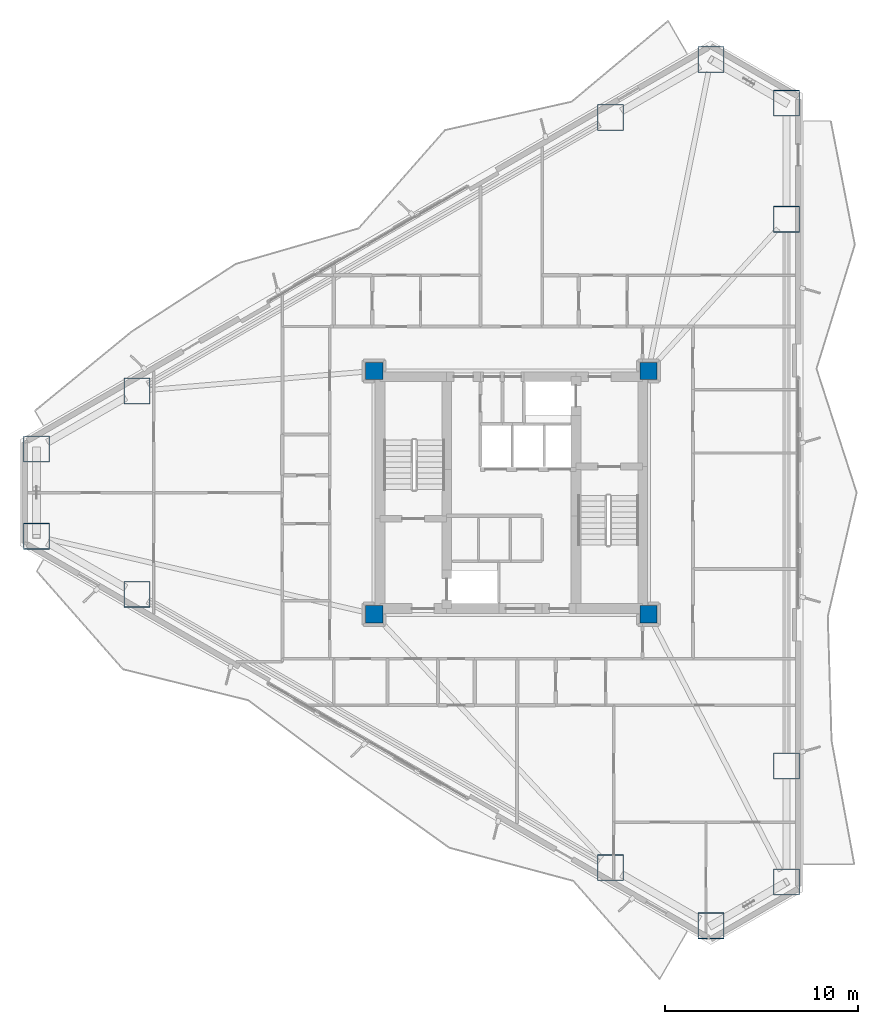
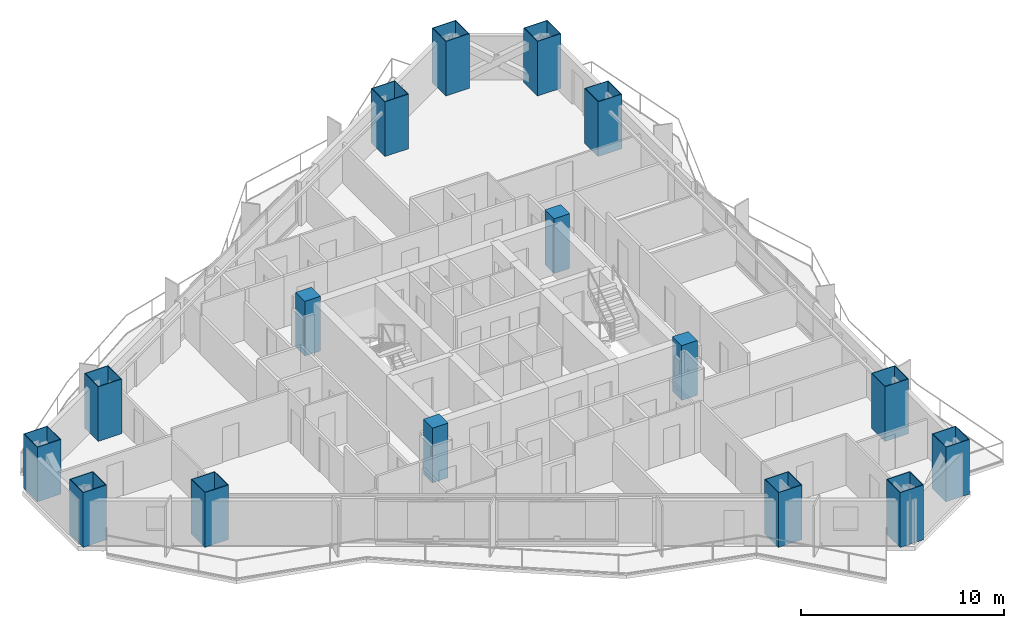
# One storey, part 1 of 19: 16 columns.
"""IFC4 building model written with IfcOpenShell, lengths in metres."""

import ifcopenshell
import ifcopenshell.guid

model = None  # the IFC model being written
_history = None  # IfcOwnerHistory: only IFC2X3 demands one
_inside = {}  # id of a spatial element -> (the spatial element, [elements in it])
_under = {}  # id of a project, library or spatial element -> (it, [spatial elements below it])
_declared = {}  # id of a project -> (the project, [libraries it declares])
_typed = {}  # id of a type object -> (the type object, [elements of that type])
_made_of = {}  # id of a material, layer set ... -> (it, [elements and type objects made of it])


def new_model(schema):
    """Start an empty IFC model of exactly this schema.

    Asked for "IFC4X3", IfcOpenShell would pick the latest addendum, in which some entities
    have other attributes; the version numbers below select the first issue.
    IFC2X3 requires an IfcOwnerHistory on every rooted entity: one is made here for all.
    """
    global model, _history
    if schema == "IFC4X3":
        model = ifcopenshell.file(schema_version=(4, 3, 0, 0))
    else:
        model = ifcopenshell.file(schema=schema)
    _inside.clear()
    _under.clear()
    _declared.clear()
    _typed.clear()
    _made_of.clear()
    _history = None
    if model.schema == "IFC2X3":
        org = make("IfcOrganization", Name="unknown")
        user = make(
            "IfcPersonAndOrganization",
            ThePerson=make("IfcPerson", FamilyName="unknown"),
            TheOrganization=org,
        )
        app = make(
            "IfcApplication",
            ApplicationDeveloper=org,
            Version="unknown",
            ApplicationFullName="unknown",
            ApplicationIdentifier="unknown",
        )
        _history = make(
            "IfcOwnerHistory",
            OwningUser=user,
            OwningApplication=app,
            ChangeAction="ADDED",
            CreationDate=0,
        )
    return model


def make(cls, **values):
    """One entity of the class cls with the attributes given. An attribute that is None is left unset."""
    return model.create_entity(
        cls, **{name: value for name, value in values.items() if value is not None}
    )


def rooted(cls, **values):
    """An entity with a GlobalId (a new one), such as an element, a storey or a relation."""
    return make(cls, GlobalId=ifcopenshell.guid.new(), OwnerHistory=_history, **values)


def si_unit(unit_type, name, prefix=None):
    """IfcSIUnit, for example si_unit("LENGTHUNIT", "METRE", prefix="MILLI")."""
    return make("IfcSIUnit", UnitType=unit_type, Prefix=prefix, Name=name)


def assignment(units):
    """IfcUnitAssignment: the units of a project."""
    return None if units is None else make("IfcUnitAssignment", Units=units)


def point(xyz):
    """IfcCartesianPoint."""
    return None if xyz is None else make("IfcCartesianPoint", Coordinates=xyz)


def direction(xyz):
    """IfcDirection."""
    return None if xyz is None else make("IfcDirection", DirectionRatios=xyz)


def frame(location, z_axis=None, x_axis=None):
    """IfcAxis2Placement3D, a coordinate frame: its origin and axes. An axis left out is left unset."""
    return make(
        "IfcAxis2Placement3D",
        Location=point(location),
        Axis=direction(z_axis),
        RefDirection=direction(x_axis),
    )


def frame_2d(location, x_axis=None):
    """IfcAxis2Placement2D, a coordinate frame in the plane: its origin and x axis."""
    return make(
        "IfcAxis2Placement2D", Location=point(location), RefDirection=direction(x_axis)
    )


def origin():
    """The frame at (0, 0, 0) with its axes left unset."""
    return frame((0.0, 0.0, 0.0))


def origin_2d():
    """The frame at (0, 0) in the plane with its x axis left unset."""
    return frame_2d((0.0, 0.0))


def place(relative_to, where):
    """IfcLocalPlacement: puts the frame where relative to a parent placement (None: the world)."""
    return make(
        "IfcLocalPlacement", PlacementRelTo=relative_to, RelativePlacement=where
    )


def context(
    kind, dimensions, precision=None, world=None, true_north=None, identifier=None
):
    """IfcGeometricRepresentationContext, for example the 3D "Model" context."""
    return make(
        "IfcGeometricRepresentationContext",
        ContextIdentifier=identifier,
        ContextType=kind,
        CoordinateSpaceDimension=dimensions,
        Precision=precision,
        WorldCoordinateSystem=world,
        TrueNorth=true_north,
    )


def subcontext(parent, identifier, kind, view, scale=None):
    """IfcGeometricRepresentationSubContext, for example "Body" below "Model"."""
    return make(
        "IfcGeometricRepresentationSubContext",
        ContextIdentifier=identifier,
        ContextType=kind,
        ParentContext=parent,
        TargetScale=scale,
        TargetView=view,
    )


def project(units=None, contexts=None):
    """IfcProject with its units and contexts."""
    return rooted(
        "IfcProject",
        Name="project",
        RepresentationContexts=contexts,
        UnitsInContext=assignment(units),
    )


def spatial(cls, under=None, at=None, **own):
    """A site, building, storey or space (cls), placed at a placement, below another one or the project."""
    s = rooted(cls, ObjectPlacement=at, **own)
    if under is not None:
        _under.setdefault(under.id(), (under, []))[1].append(s)
    return s


def profile(cls, at=None, kind="AREA", **sizes):
    """A parametric profile (cls). Its sizes go by their IFC names, for example OverallWidth=200.0."""
    return make(cls, ProfileType=kind, Position=at, **sizes)


def rectangle(**sizes):
    """IfcRectangleProfileDef."""
    return profile("IfcRectangleProfileDef", **sizes)


def hollow_rectangle(**sizes):
    """IfcRectangleHollowProfileDef."""
    return profile("IfcRectangleHollowProfileDef", **sizes)


def extrude(swept, where, along, depth):
    """IfcExtrudedAreaSolid: the profile swept, set in the frame where, extruded along a direction by depth."""
    return make(
        "IfcExtrudedAreaSolid",
        SweptArea=swept,
        Position=where,
        ExtrudedDirection=direction(along),
        Depth=depth,
    )


def shape(context_of_items, identifier, shape_type, items):
    """IfcShapeRepresentation: the items that make up one representation, for example the "Body"."""
    return make(
        "IfcShapeRepresentation",
        ContextOfItems=context_of_items,
        RepresentationIdentifier=identifier,
        RepresentationType=shape_type,
        Items=items,
    )


def material(Name=None, Category=None):
    """IfcMaterial."""
    return make("IfcMaterial", Name=Name, Category=Category)


def material_profile(
    of_material, cross_section, Name=None, Category=None, Priority=None
):
    """IfcMaterialProfile: a cross section and its material."""
    return make(
        "IfcMaterialProfile",
        Name=Name,
        Material=of_material,
        Profile=cross_section,
        Priority=Priority,
        Category=Category,
    )


def profile_set(profiles, Name=None, composite=None):
    """IfcMaterialProfileSet."""
    return make(
        "IfcMaterialProfileSet",
        Name=Name,
        MaterialProfiles=profiles,
        CompositeProfile=composite,
    )


def made_of(thing, what):
    """Note that an element or type object is made of a material, layer set ...; save() writes the relation."""
    if what is not None:
        _made_of.setdefault(what.id(), (what, []))[1].append(thing)
    return thing


def type_object(cls, material=None, **own):
    """A type object (cls), such as IfcWallType, which elements share."""
    return made_of(rooted(cls, **own), material)


def element(
    cls,
    number,
    at=None,
    inside=None,
    cuts=None,
    type_object=None,
    material=None,
    context=None,
    identifier="Body",
    shape_type=None,
    held_by="IfcProductDefinitionShape",
    body=None,
    shapes=None,
    **own,
):
    """One element of the class cls, such as IfcWall. Its Tag is "e" and its number.

    at: its placement. inside: the storey or other place that contains it. cuts: it is an
    opening in that element (IfcRelVoidsElement). A single representation is given by context,
    identifier, shape_type and body (its items); several are given by shapes. held_by: the class
    of the entity that holds the representations. save() writes the other relations.
    """
    e = rooted(cls, Tag="e%d" % number, ObjectPlacement=at, **own)
    if body is not None:
        shapes = [shape(context, identifier, shape_type, body)]
    if shapes is not None:
        e.Representation = make(held_by, Representations=shapes)
    if inside is not None:
        _inside.setdefault(inside.id(), (inside, []))[1].append(e)
    if cuts is not None:
        rooted(
            "IfcRelVoidsElement", RelatingBuildingElement=cuts, RelatedOpeningElement=e
        )
    if type_object is not None:
        _typed.setdefault(type_object.id(), (type_object, []))[1].append(e)
    return made_of(e, material)


def aggregate(whole, parts):
    """IfcRelAggregates: a whole, such as a stair, and the parts it consists of."""
    return rooted("IfcRelAggregates", RelatingObject=whole, RelatedObjects=parts)


def save(model, path):
    """Write the relations noted so far, then the file.

    IfcRelAggregates (storeys below a building ...), IfcRelContainedInSpatialStructure (elements
    in a storey), IfcRelDefinesByType, IfcRelAssociatesMaterial and IfcRelDeclares: one each for
    every whole, place, type object, material and project.
    """
    for whole, parts in _under.values():
        aggregate(whole, parts)
    for where, things in _inside.values():
        rooted(
            "IfcRelContainedInSpatialStructure",
            RelatedElements=things,
            RelatingStructure=where,
        )
    for kind, things in _typed.values():
        rooted("IfcRelDefinesByType", RelatedObjects=things, RelatingType=kind)
    for what, things in _made_of.values():
        rooted("IfcRelAssociatesMaterial", RelatedObjects=things, RelatingMaterial=what)
    for by, libraries in _declared.values():
        rooted("IfcRelDeclares", RelatingContext=by, RelatedDefinitions=libraries)
    model.write(path)


model = new_model("IFC4")

# Units and contexts
model_context = context("Model", 3, precision=1e-05, world=origin(), true_north=direction((0.0, 1.0)))
body_context = subcontext(model_context, "Body", "Model", "MODEL_VIEW")
ifc_project = project(units=[si_unit("LENGTHUNIT", "METRE"), si_unit("AREAUNIT", "SQUARE_METRE"), si_unit("VOLUMEUNIT", "CUBIC_METRE"), si_unit("PLANEANGLEUNIT", "RADIAN"), si_unit("MASSUNIT", "GRAM", prefix="KILO")], contexts=[model_context])

# Site, building, storey
site_placement = place(None, origin())
site = spatial("IfcSite", under=ifc_project, at=site_placement, CompositionType="ELEMENT")
building_placement = place(site_placement, origin())
building = spatial("IfcBuilding", under=site, at=building_placement, Name="Mersakhor Tower and Convention Hall", CompositionType="ELEMENT")
storey_placement = place(building_placement, frame((0.0, 0.0, 48.89990234375)))
storey = spatial("IfcBuildingStorey", under=building, at=storey_placement, Name="L13", CompositionType="ELEMENT", Elevation=48.89990234375)

# Columns
ifc_material_1 = material(Name="Concrete C70/85 in S460M steel box", Category="concrete")
ifc_material_profile_1 = material_profile(ifc_material_1, hollow_rectangle(XDim=1.35009765625, YDim=1.35009765625, WallThickness=0.035888671875, at=origin_2d()), Name="SHS 1350x1350x36")
ifc_profile_set_1 = profile_set([ifc_material_profile_1], Name="Concrete C70/85 in S460M steel box")
column_type_1 = type_object("IfcColumnType", Name="COL-CFT-1350", PredefinedType="COLUMN", material=ifc_profile_set_1)
for number, where, z_axis, x_axis, name in (
    (1, (4.4130859375, 29.00927734375, 0.0), (0.0, 0.0, 1.0), (1.0, 0.0, 0.0), "L13 Perimeter Mega-Column MC-01"),
    (2, (9.61669921875, 32.013671875, 0.0), (0.0, 0.0, 1.0), (1.0, 0.0, 0.0), "L13 Perimeter Mega-Column MC-02"),
    (3, (34.13330078125, 46.168212890625, 0.0), (0.0, 0.0, 1.0), (1.0, 0.0, 0.0), "L13 Perimeter Mega-Column MC-03"),
    (4, (39.3369140625, 49.172607421875, 0.0), (0.0, 0.0, 1.0), (1.0, 0.0, 0.0), "L13 Perimeter Mega-Column MC-04"),
    (5, (43.25, 46.913330078125, 0.0), (0.0, 0.0, 1.0), (1.0, 0.0, 0.0), "L13 Perimeter Mega-Column MC-05"),
    (6, (43.25, 40.904541015625, 0.0), (0.0, 0.0, 1.0), (1.0, 0.0, 0.0), "L13 Perimeter Mega-Column MC-06"),
    (7, (43.25, 12.595458984375, 0.0), (0.0, 0.0, 1.0), (1.0, 0.0, 0.0), "L13 Perimeter Mega-Column MC-07"),
    (8, (43.25, 6.586669921875, 0.0), (0.0, 0.0, 1.0), (1.0, 0.0, 0.0), "L13 Perimeter Mega-Column MC-08"),
    (9, (39.3369140625, 4.327392578125, 0.0), (0.0, 0.0, 1.0), (1.0, 0.0, 0.0), "L13 Perimeter Mega-Column MC-09"),
    (10, (34.13330078125, 7.331787109375, 0.0), (0.0, 0.0, 1.0), (1.0, 0.0, 0.0), "L13 Perimeter Mega-Column MC-10"),
    (11, (9.61669921875, 21.486328125, 0.0), (0.0, 0.0, 1.0), (1.0, 0.0, 0.0), "L13 Perimeter Mega-Column MC-11"),
    (12, (4.4130859375, 24.49072265625, 0.0), (0.0, 0.0, 1.0), (1.0, 0.0, 0.0), "L13 Perimeter Mega-Column MC-12"),
):
    element("IfcColumn", number, at=place(storey_placement, frame(where, z_axis=z_axis, x_axis=x_axis)), inside=storey, type_object=column_type_1, Name=name, PredefinedType="COLUMN", context=body_context, shape_type="SweptSolid", body=[
        extrude(hollow_rectangle(XDim=1.35009765625, YDim=1.35009765625, WallThickness=0.035888671875, at=origin_2d()), origin(), (0.0, 0.0, 1.0), 3.300048828125),
    ])
ifc_material_2 = material(Name="Concrete C60/75", Category="concrete")
ifc_material_profile_2 = material_profile(ifc_material_2, rectangle(XDim=0.89990234375, YDim=0.89990234375, at=origin_2d()), Name="RC 900x900")
ifc_profile_set_2 = profile_set([ifc_material_profile_2], Name="Concrete C60/75")
column_type_2 = type_object("IfcColumnType", Name="COL-RC-900", PredefinedType="COLUMN", material=ifc_profile_set_2)
for number, where, z_axis, x_axis, name in (
    (13, (21.89990234375, 20.449951171875, 0.0), (0.0, 0.0, 1.0), (1.0, 0.0, 0.0), "L13 Core Corner Column CC-1"),
    (14, (21.89990234375, 33.050048828125, 0.0), (0.0, 0.0, 1.0), (1.0, 0.0, 0.0), "L13 Core Corner Column CC-2"),
    (15, (36.10009765625, 33.050048828125, 0.0), (0.0, 0.0, 1.0), (1.0, 0.0, 0.0), "L13 Core Corner Column CC-3"),
    (16, (36.10009765625, 20.449951171875, 0.0), (0.0, 0.0, 1.0), (1.0, 0.0, 0.0), "L13 Core Corner Column CC-4"),
):
    element("IfcColumn", number, at=place(storey_placement, frame(where, z_axis=z_axis, x_axis=x_axis)), inside=storey, type_object=column_type_2, Name=name, PredefinedType="COLUMN", context=body_context, shape_type="SweptSolid", body=[
        extrude(rectangle(XDim=0.89990234375, YDim=0.89990234375, at=origin_2d()), origin(), (0.0, 0.0, 1.0), 3.300048828125),
    ])

save(model, "model.ifc")
